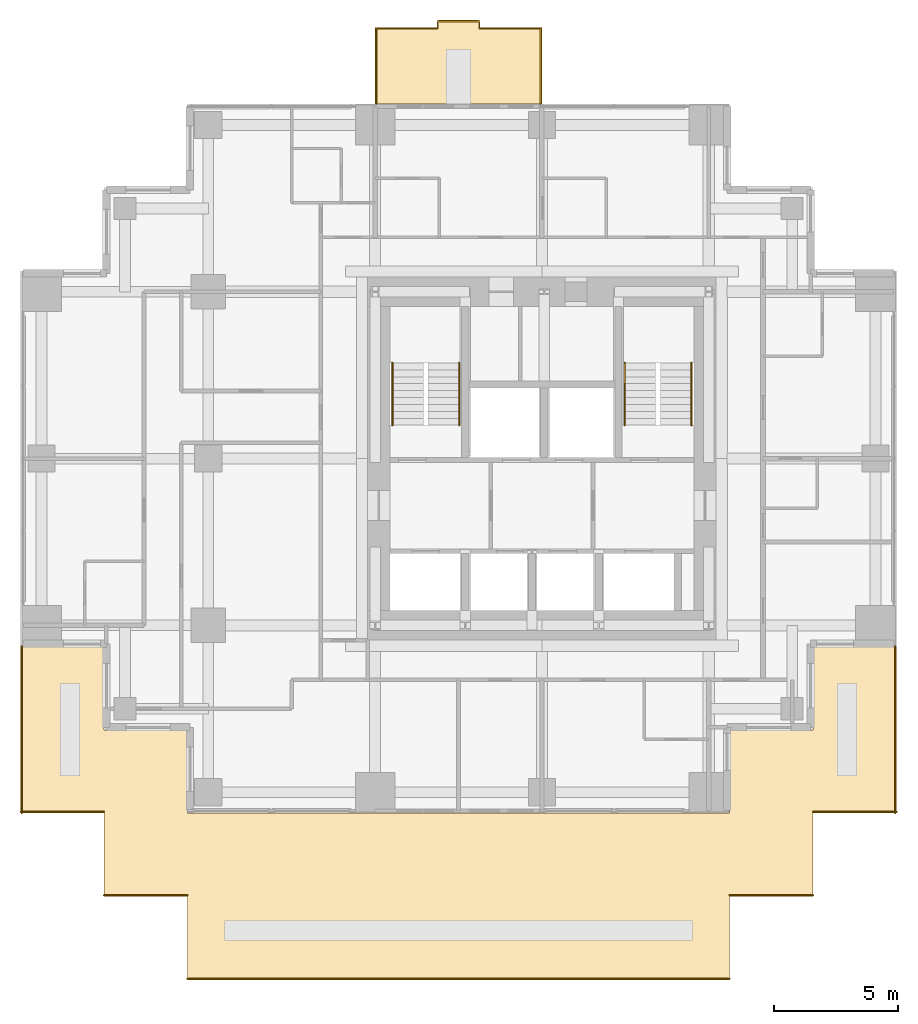
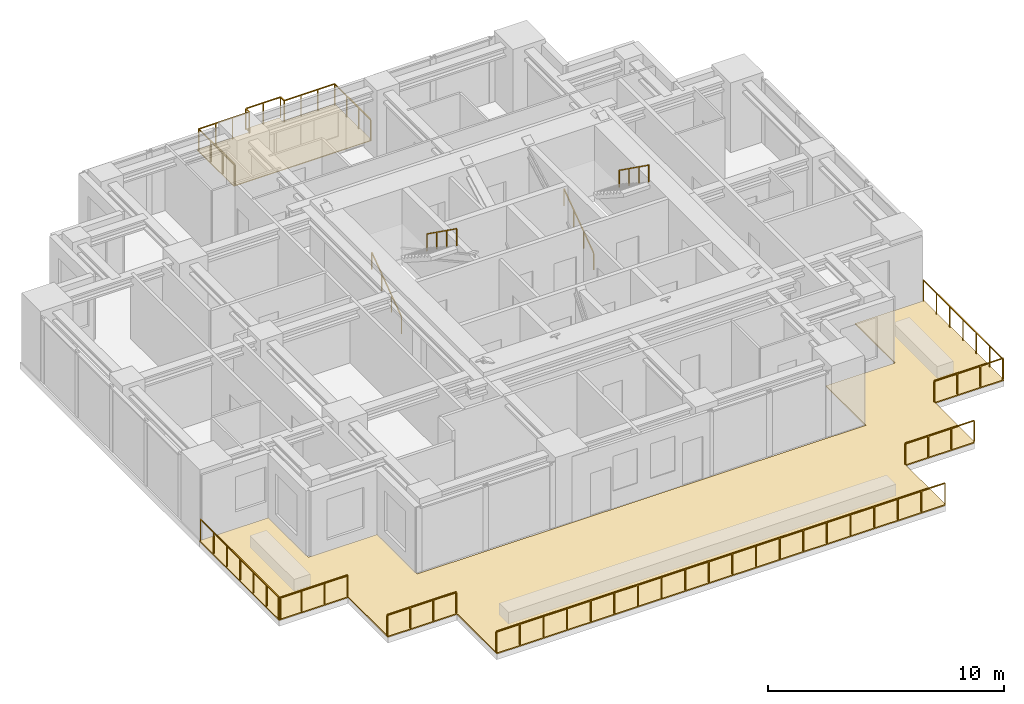
# One storey, part 7 of 7: 12 railings, 2 coverings.
"""IFC4 building model written with IfcOpenShell, lengths in metres."""

from ifc_helpers import new_model, si_unit, direction, frame, origin, origin_2d, place, context, subcontext, project, spatial, polyline, rectangle, outline, extrude, material, layer, layer_set, type_object, element, save


model = new_model("IFC4")

# Units and contexts
model_context = context("Model", 3, precision=1e-05, world=origin(), true_north=direction((0.0, 1.0)))
body_context = subcontext(model_context, "Body", "Model", "MODEL_VIEW")
ifc_project = project(units=[si_unit("LENGTHUNIT", "METRE"), si_unit("AREAUNIT", "SQUARE_METRE"), si_unit("VOLUMEUNIT", "CUBIC_METRE"), si_unit("PLANEANGLEUNIT", "RADIAN"), si_unit("MASSUNIT", "GRAM", prefix="KILO")], contexts=[model_context])

# Site, building, storey
site_placement = place(None, origin())
site = spatial("IfcSite", under=ifc_project, at=site_placement, CompositionType="ELEMENT")
building_placement = place(site_placement, origin())
building = spatial("IfcBuilding", under=site, at=building_placement, Name="Nyansa Garden Tower", CompositionType="ELEMENT")
storey_placement = place(building_placement, frame((0.0, 0.0, 204.300048828125)))
storey = spatial("IfcBuildingStorey", under=building, at=storey_placement, Name="L55", CompositionType="ELEMENT", Elevation=204.300048828125)

# Covering
ifc_material_1 = material(Name="Hardwood decking on pedestals", Category="wood")
ifc_layer_1 = layer(ifc_material_1, 0.0400390625)
ifc_layer_set_1 = layer_set([ifc_layer_1], Name="Balcony decking DK40")
covering_type_1 = type_object("IfcCoveringType", Name="Balcony decking DK40", PredefinedType="FLOORING", material=ifc_layer_set_1)
covering_1_placement = place(storey_placement, frame((0.0, 0.0, -0.0400390625)))
element("IfcCovering", 1, at=covering_1_placement, inside=storey, type_object=covering_type_1, Name="Balcony decking L55", PredefinedType="FLOORING", context=body_context, shape_type="SweptSolid", body=[
    extrude(outline(polyline([(13.5, 34.60009765625), (20.25, 34.60009765625), (20.25, 37.699951171875), (17.675048828125, 37.699951171875), (17.675048828125, 38.0), (16.074951171875, 38.0), (16.074951171875, 37.699951171875), (13.5, 37.699951171875), (13.5, 34.60009765625)])), origin(), (0.0, 0.0, 1.0), 0.0400390625),
])

# Railings
ifc_material_2 = material(Name="Black powder-coated steel balusters, laminated glass infill", Category="steel")
railing_type_1 = type_object("IfcRailingType", Name="Balcony guard G1", PredefinedType="GUARDRAIL", material=ifc_material_2)
railing_1_placement = place(storey_placement, frame((13.550048828125, 34.60009765625, 0.0)))
element("IfcRailing", 2, at=railing_1_placement, inside=storey, type_object=railing_type_1, Name="Balcony guard L55", PredefinedType="GUARDRAIL", context=body_context, shape_type="SweptSolid", body=[
    extrude(rectangle(XDim=0.048095703125, YDim=0.048095703125, at=origin_2d()), frame((0.0, 0.0, 1.076171875), z_axis=(0.0, 1.0, 0.0), x_axis=(-1.0, 0.0, 0.0)), (0.0, 0.0, 1.0), 3.0498046875),
    extrude(rectangle(XDim=0.048095703125, YDim=0.048095703125, at=origin_2d()), frame((0.0, 3.0498046875, 1.076171875), z_axis=(1.0, 0.0, 0.0), x_axis=(0.0, 1.0, 0.0)), (0.0, 0.0, 1.0), 2.474853515625),
    extrude(rectangle(XDim=0.048095703125, YDim=0.048095703125, at=origin_2d()), frame((2.474853515625, 3.0498046875, 1.076171875), z_axis=(0.0, 1.0, 0.0), x_axis=(-1.0, 0.0, 0.0)), (0.0, 0.0, 1.0), 0.300048828125),
    extrude(rectangle(XDim=0.048095703125, YDim=0.048095703125, at=origin_2d()), frame((2.474853515625, 3.349853515625, 1.076171875), z_axis=(1.0, 0.0, 0.0), x_axis=(0.0, 1.0, 0.0)), (0.0, 0.0, 1.0), 1.7001953125),
    extrude(rectangle(XDim=0.048095703125, YDim=0.048095703125, at=origin_2d()), frame((4.175048828125, 3.349853515625, 1.076171875), z_axis=(0.0, -1.0, 0.0), x_axis=(1.0, 0.0, 0.0)), (0.0, 0.0, 1.0), 0.300048828125),
    extrude(rectangle(XDim=0.048095703125, YDim=0.048095703125, at=origin_2d()), frame((4.175048828125, 3.0498046875, 1.076171875), z_axis=(1.0, 0.0, 0.0), x_axis=(0.0, 1.0, 0.0)), (0.0, 0.0, 1.0), 2.474853515625),
    extrude(rectangle(XDim=0.048095703125, YDim=0.048095703125, at=origin_2d()), frame((6.64990234375, 3.0498046875, 1.076171875), z_axis=(0.0, -1.0, 0.0), x_axis=(1.0, 0.0, 0.0)), (0.0, 0.0, 1.0), 3.0498046875),
    extrude(rectangle(XDim=0.0419921875, YDim=0.0419921875, at=origin_2d()), origin(), (0.0, 0.0, 1.0), 1.052001953125),
    extrude(rectangle(XDim=0.0419921875, YDim=0.0419921875, at=origin_2d()), frame((0.0, 1.0166015625, 0.0)), (0.0, 0.0, 1.0), 1.052001953125),
    extrude(rectangle(XDim=0.0419921875, YDim=0.0419921875, at=origin_2d()), frame((0.0, 2.033203125, 0.0)), (0.0, 0.0, 1.0), 1.052001953125),
    extrude(rectangle(XDim=0.0419921875, YDim=0.0419921875, at=origin_2d()), frame((0.0, 3.0498046875, 0.0)), (0.0, 0.0, 1.0), 1.052001953125),
    extrude(rectangle(XDim=0.0419921875, YDim=0.0419921875, at=origin_2d()), frame((0.824951171875, 3.0498046875, 0.0)), (0.0, 0.0, 1.0), 1.052001953125),
    extrude(rectangle(XDim=0.0419921875, YDim=0.0419921875, at=origin_2d()), frame((1.64990234375, 3.0498046875, 0.0)), (0.0, 0.0, 1.0), 1.052001953125),
    extrude(rectangle(XDim=0.0419921875, YDim=0.0419921875, at=origin_2d()), frame((2.474853515625, 3.0498046875, 0.0)), (0.0, 0.0, 1.0), 1.052001953125),
    extrude(rectangle(XDim=0.0419921875, YDim=0.0419921875, at=origin_2d()), frame((2.474853515625, 3.349853515625, 0.0)), (0.0, 0.0, 1.0), 1.052001953125),
    extrude(rectangle(XDim=0.0419921875, YDim=0.0419921875, at=origin_2d()), frame((3.324951171875, 3.349853515625, 0.0)), (0.0, 0.0, 1.0), 1.052001953125),
    extrude(rectangle(XDim=0.0419921875, YDim=0.0419921875, at=origin_2d()), frame((4.175048828125, 3.349853515625, 0.0)), (0.0, 0.0, 1.0), 1.052001953125),
    extrude(rectangle(XDim=0.0419921875, YDim=0.0419921875, at=origin_2d()), frame((4.175048828125, 3.0498046875, 0.0)), (0.0, 0.0, 1.0), 1.052001953125),
    extrude(rectangle(XDim=0.0419921875, YDim=0.0419921875, at=origin_2d()), frame((5.0, 3.0498046875, 0.0)), (0.0, 0.0, 1.0), 1.052001953125),
    extrude(rectangle(XDim=0.0419921875, YDim=0.0419921875, at=origin_2d()), frame((5.824951171875, 3.0498046875, 0.0)), (0.0, 0.0, 1.0), 1.052001953125),
    extrude(rectangle(XDim=0.0419921875, YDim=0.0419921875, at=origin_2d()), frame((6.64990234375, 3.0498046875, 0.0)), (0.0, 0.0, 1.0), 1.052001953125),
    extrude(rectangle(XDim=0.0419921875, YDim=0.0419921875, at=origin_2d()), frame((6.64990234375, 2.033203125, 0.0)), (0.0, 0.0, 1.0), 1.052001953125),
    extrude(rectangle(XDim=0.0419921875, YDim=0.0419921875, at=origin_2d()), frame((6.64990234375, 1.0166015625, 0.0)), (0.0, 0.0, 1.0), 1.052001953125),
    extrude(rectangle(XDim=0.0419921875, YDim=0.0419921875, at=origin_2d()), frame((6.64990234375, 0.0, 0.0)), (0.0, 0.0, 1.0), 1.052001953125),
])
ifc_material_3 = material(Name="Black powder-coated steel tube 48 mm", Category="steel")
railing_type_2 = type_object("IfcRailingType", Name="Stair handrail HR1", PredefinedType="HANDRAIL", material=ifc_material_3)
railing_2_placement = place(storey_placement, frame((14.199951171875, 21.60009765625, 0.0)))
element("IfcRailing", 3, at=railing_2_placement, inside=storey, type_object=railing_type_2, Name="Stair S1 handrail L55", PredefinedType="HANDRAIL", context=body_context, shape_type="SweptSolid", body=[
    extrude(rectangle(XDim=0.048095703125, YDim=0.048095703125, at=origin_2d()), frame((0.0, 0.0, 0.8759765625), z_axis=(0.0, 0.813728144527, 0.581245650998), x_axis=(-1.0, 0.0, 0.0)), (0.0, 0.0, 1.0), 3.096923828125),
    extrude(rectangle(XDim=0.0419921875, YDim=0.0419921875, at=origin_2d()), origin(), (0.0, 0.0, 1.0), 0.851806640625),
    extrude(rectangle(XDim=0.0419921875, YDim=0.0419921875, at=origin_2d()), frame((0.0, 0.840087890625, 0.60009765625)), (0.0, 0.0, 1.0), 0.851806640625),
    extrude(rectangle(XDim=0.0419921875, YDim=0.0419921875, at=origin_2d()), frame((0.0, 1.679931640625, 1.199951171875)), (0.0, 0.0, 1.0), 0.851806640625),
    extrude(rectangle(XDim=0.0419921875, YDim=0.0419921875, at=origin_2d()), frame((0.0, 2.52001953125, 1.800048828125)), (0.0, 0.0, 1.0), 0.851806640625),
])
railing_3_placement = place(storey_placement, frame((16.89990234375, 24.1201171875, 1.800048828125)))
element("IfcRailing", 4, at=railing_3_placement, inside=storey, type_object=railing_type_2, Name="Stair S1 handrail L55", PredefinedType="HANDRAIL", context=body_context, shape_type="SweptSolid", body=[
    extrude(rectangle(XDim=0.048095703125, YDim=0.048095703125, at=origin_2d()), frame((0.0, 0.0, 0.8759765625), z_axis=(0.0, -0.813765431312, 0.581193446971), x_axis=(1.0, 0.0, 0.0)), (0.0, 0.0, 1.0), 3.0966796875),
    extrude(rectangle(XDim=0.0419921875, YDim=0.0419921875, at=origin_2d()), origin(), (0.0, 0.0, 1.0), 0.851806640625),
    extrude(rectangle(XDim=0.0419921875, YDim=0.0419921875, at=origin_2d()), frame((0.0, -0.840087890625, 0.599853515625)), (0.0, 0.0, 1.0), 0.851806640625),
    extrude(rectangle(XDim=0.0419921875, YDim=0.0419921875, at=origin_2d()), frame((0.0, -1.679931640625, 1.199951171875)), (0.0, 0.0, 1.0), 0.851806640625),
    extrude(rectangle(XDim=0.0419921875, YDim=0.0419921875, at=origin_2d()), frame((0.0, -2.52001953125, 1.7998046875)), (0.0, 0.0, 1.0), 0.851806640625),
])
railing_4_placement = place(storey_placement, frame((23.60009765625, 21.60009765625, 0.0)))
element("IfcRailing", 5, at=railing_4_placement, inside=storey, type_object=railing_type_2, Name="Stair S2 handrail L55", PredefinedType="HANDRAIL", context=body_context, shape_type="SweptSolid", body=[
    extrude(rectangle(XDim=0.048095703125, YDim=0.048095703125, at=origin_2d()), frame((0.0, 0.0, 0.8759765625), z_axis=(0.0, 0.813728144527, 0.581245650998), x_axis=(-1.0, 0.0, 0.0)), (0.0, 0.0, 1.0), 3.096923828125),
    extrude(rectangle(XDim=0.0419921875, YDim=0.0419921875, at=origin_2d()), origin(), (0.0, 0.0, 1.0), 0.851806640625),
    extrude(rectangle(XDim=0.0419921875, YDim=0.0419921875, at=origin_2d()), frame((0.0, 0.840087890625, 0.60009765625)), (0.0, 0.0, 1.0), 0.851806640625),
    extrude(rectangle(XDim=0.0419921875, YDim=0.0419921875, at=origin_2d()), frame((0.0, 1.679931640625, 1.199951171875)), (0.0, 0.0, 1.0), 0.851806640625),
    extrude(rectangle(XDim=0.0419921875, YDim=0.0419921875, at=origin_2d()), frame((0.0, 2.52001953125, 1.800048828125)), (0.0, 0.0, 1.0), 0.851806640625),
])
railing_5_placement = place(storey_placement, frame((26.300048828125, 24.1201171875, 1.800048828125)))
element("IfcRailing", 6, at=railing_5_placement, inside=storey, type_object=railing_type_2, Name="Stair S2 handrail L55", PredefinedType="HANDRAIL", context=body_context, shape_type="SweptSolid", body=[
    extrude(rectangle(XDim=0.048095703125, YDim=0.048095703125, at=origin_2d()), frame((0.0, 0.0, 0.8759765625), z_axis=(0.0, -0.813765431312, 0.581193446971), x_axis=(1.0, 0.0, 0.0)), (0.0, 0.0, 1.0), 3.0966796875),
    extrude(rectangle(XDim=0.0419921875, YDim=0.0419921875, at=origin_2d()), origin(), (0.0, 0.0, 1.0), 0.851806640625),
    extrude(rectangle(XDim=0.0419921875, YDim=0.0419921875, at=origin_2d()), frame((0.0, -0.840087890625, 0.599853515625)), (0.0, 0.0, 1.0), 0.851806640625),
    extrude(rectangle(XDim=0.0419921875, YDim=0.0419921875, at=origin_2d()), frame((0.0, -1.679931640625, 1.199951171875)), (0.0, 0.0, 1.0), 0.851806640625),
    extrude(rectangle(XDim=0.0419921875, YDim=0.0419921875, at=origin_2d()), frame((0.0, -2.52001953125, 1.7998046875)), (0.0, 0.0, 1.0), 0.851806640625),
])
ifc_material_4 = material(Name="Black powder-coated steel, laminated glass infill", Category="steel")
railing_type_3 = type_object("IfcRailingType", Name="Terrace guard G2", PredefinedType="GUARDRAIL", material=ifc_material_4)
railing_6_placement = place(storey_placement, frame((27.85009765625, -0.800048828125, 0.0)))
element("IfcRailing", 7, at=railing_6_placement, inside=storey, type_object=railing_type_3, Name="Setback roof guard L55", PredefinedType="GUARDRAIL", context=body_context, shape_type="SweptSolid", body=[
    extrude(rectangle(XDim=0.048095703125, YDim=0.048095703125, at=origin_2d()), frame((0.0, 0.0, 1.076171875), z_axis=(-1.0, 0.0, 0.0), x_axis=(0.0, -1.0, 0.0)), (0.0, 0.0, 1.0), 21.9501953125),
    extrude(rectangle(XDim=0.0419921875, YDim=0.0419921875, at=origin_2d()), origin(), (0.0, 0.0, 1.0), 1.052001953125),
    extrude(rectangle(XDim=0.0419921875, YDim=0.0419921875, at=origin_2d()), frame((-1.1552734375, 0.0, 0.0)), (0.0, 0.0, 1.0), 1.052001953125),
    extrude(rectangle(XDim=0.0419921875, YDim=0.0419921875, at=origin_2d()), frame((-2.310546875, 0.0, 0.0)), (0.0, 0.0, 1.0), 1.052001953125),
    extrude(rectangle(XDim=0.0419921875, YDim=0.0419921875, at=origin_2d()), frame((-3.4658203125, 0.0, 0.0)), (0.0, 0.0, 1.0), 1.052001953125),
    extrude(rectangle(XDim=0.0419921875, YDim=0.0419921875, at=origin_2d()), frame((-4.62109375, 0.0, 0.0)), (0.0, 0.0, 1.0), 1.052001953125),
    extrude(rectangle(XDim=0.0419921875, YDim=0.0419921875, at=origin_2d()), frame((-5.7763671875, 0.0, 0.0)), (0.0, 0.0, 1.0), 1.052001953125),
    extrude(rectangle(XDim=0.0419921875, YDim=0.0419921875, at=origin_2d()), frame((-6.931640625, 0.0, 0.0)), (0.0, 0.0, 1.0), 1.052001953125),
    extrude(rectangle(XDim=0.0419921875, YDim=0.0419921875, at=origin_2d()), frame((-8.0869140625, 0.0, 0.0)), (0.0, 0.0, 1.0), 1.052001953125),
    extrude(rectangle(XDim=0.0419921875, YDim=0.0419921875, at=origin_2d()), frame((-9.2421875, 0.0, 0.0)), (0.0, 0.0, 1.0), 1.052001953125),
    extrude(rectangle(XDim=0.0419921875, YDim=0.0419921875, at=origin_2d()), frame((-10.3974609375, 0.0, 0.0)), (0.0, 0.0, 1.0), 1.052001953125),
    extrude(rectangle(XDim=0.0419921875, YDim=0.0419921875, at=origin_2d()), frame((-11.552734375, 0.0, 0.0)), (0.0, 0.0, 1.0), 1.052001953125),
    extrude(rectangle(XDim=0.0419921875, YDim=0.0419921875, at=origin_2d()), frame((-12.7080078125, 0.0, 0.0)), (0.0, 0.0, 1.0), 1.052001953125),
    extrude(rectangle(XDim=0.0419921875, YDim=0.0419921875, at=origin_2d()), frame((-13.86328125, 0.0, 0.0)), (0.0, 0.0, 1.0), 1.052001953125),
    extrude(rectangle(XDim=0.0419921875, YDim=0.0419921875, at=origin_2d()), frame((-15.0185546875, 0.0, 0.0)), (0.0, 0.0, 1.0), 1.052001953125),
    extrude(rectangle(XDim=0.0419921875, YDim=0.0419921875, at=origin_2d()), frame((-16.173828125, 0.0, 0.0)), (0.0, 0.0, 1.0), 1.052001953125),
    extrude(rectangle(XDim=0.0419921875, YDim=0.0419921875, at=origin_2d()), frame((-17.3291015625, 0.0, 0.0)), (0.0, 0.0, 1.0), 1.052001953125),
    extrude(rectangle(XDim=0.0419921875, YDim=0.0419921875, at=origin_2d()), frame((-18.484375, 0.0, 0.0)), (0.0, 0.0, 1.0), 1.052001953125),
    extrude(rectangle(XDim=0.0419921875, YDim=0.0419921875, at=origin_2d()), frame((-19.6396484375, 0.0, 0.0)), (0.0, 0.0, 1.0), 1.052001953125),
    extrude(rectangle(XDim=0.0419921875, YDim=0.0419921875, at=origin_2d()), frame((-20.794921875, 0.0, 0.0)), (0.0, 0.0, 1.0), 1.052001953125),
    extrude(rectangle(XDim=0.0419921875, YDim=0.0419921875, at=origin_2d()), frame((-21.9501953125, 0.0, 0.0)), (0.0, 0.0, 1.0), 1.052001953125),
])
for number, where, name in (
    (8, (5.89990234375, 2.574951171875, 0.0), "Setback roof guard L55"),
    (9, (31.22509765625, 2.574951171875, 0.0), "Setback roof guard L55"),
):
    element("IfcRailing", number, at=place(storey_placement, frame(where)), inside=storey, type_object=railing_type_3, Name=name, PredefinedType="GUARDRAIL", context=body_context, shape_type="SweptSolid", body=[
        extrude(rectangle(XDim=0.048095703125, YDim=0.048095703125, at=origin_2d()), frame((0.0, 0.0, 1.076171875), z_axis=(-1.0, 0.0, 0.0), x_axis=(0.0, -1.0, 0.0)), (0.0, 0.0, 1.0), 3.375),
        extrude(rectangle(XDim=0.0419921875, YDim=0.0419921875, at=origin_2d()), origin(), (0.0, 0.0, 1.0), 1.052001953125),
        extrude(rectangle(XDim=0.0419921875, YDim=0.0419921875, at=origin_2d()), frame((-1.125, 0.0, 0.0)), (0.0, 0.0, 1.0), 1.052001953125),
        extrude(rectangle(XDim=0.0419921875, YDim=0.0419921875, at=origin_2d()), frame((-2.25, 0.0, 0.0)), (0.0, 0.0, 1.0), 1.052001953125),
        extrude(rectangle(XDim=0.0419921875, YDim=0.0419921875, at=origin_2d()), frame((-3.375, 0.0, 0.0)), (0.0, 0.0, 1.0), 1.052001953125),
    ])
railing_7_placement = place(storey_placement, frame((-0.800048828125, 5.89990234375, 0.0)))
element("IfcRailing", 10, at=railing_7_placement, inside=storey, type_object=railing_type_3, Name="Setback roof guard L55", PredefinedType="GUARDRAIL", context=body_context, shape_type="SweptSolid", body=[
    extrude(rectangle(XDim=0.048095703125, YDim=0.048095703125, at=origin_2d()), frame((0.0, 0.0, 1.076171875), z_axis=(0.0, 1.0, 0.0), x_axis=(-1.0, 0.0, 0.0)), (0.0, 0.0, 1.0), 6.75),
    extrude(rectangle(XDim=0.0419921875, YDim=0.0419921875, at=origin_2d()), origin(), (0.0, 0.0, 1.0), 1.052001953125),
    extrude(rectangle(XDim=0.0419921875, YDim=0.0419921875, at=origin_2d()), frame((0.0, 1.125, 0.0)), (0.0, 0.0, 1.0), 1.052001953125),
    extrude(rectangle(XDim=0.0419921875, YDim=0.0419921875, at=origin_2d()), frame((0.0, 2.25, 0.0)), (0.0, 0.0, 1.0), 1.052001953125),
    extrude(rectangle(XDim=0.0419921875, YDim=0.0419921875, at=origin_2d()), frame((0.0, 3.375, 0.0)), (0.0, 0.0, 1.0), 1.052001953125),
    extrude(rectangle(XDim=0.0419921875, YDim=0.0419921875, at=origin_2d()), frame((0.0, 4.5, 0.0)), (0.0, 0.0, 1.0), 1.052001953125),
    extrude(rectangle(XDim=0.0419921875, YDim=0.0419921875, at=origin_2d()), frame((0.0, 5.625, 0.0)), (0.0, 0.0, 1.0), 1.052001953125),
    extrude(rectangle(XDim=0.0419921875, YDim=0.0419921875, at=origin_2d()), frame((0.0, 6.75, 0.0)), (0.0, 0.0, 1.0), 1.052001953125),
])
railing_8_placement = place(storey_placement, frame((2.52490234375, 5.949951171875, 0.0)))
element("IfcRailing", 11, at=railing_8_placement, inside=storey, type_object=railing_type_3, Name="Setback roof guard L55", PredefinedType="GUARDRAIL", context=body_context, shape_type="SweptSolid", body=[
    extrude(rectangle(XDim=0.048095703125, YDim=0.048095703125, at=origin_2d()), frame((0.0, 0.0, 1.076171875), z_axis=(-1.0, 0.0, 0.0), x_axis=(0.0, -1.0, 0.0)), (0.0, 0.0, 1.0), 3.375),
    extrude(rectangle(XDim=0.0419921875, YDim=0.0419921875, at=origin_2d()), origin(), (0.0, 0.0, 1.0), 1.052001953125),
    extrude(rectangle(XDim=0.0419921875, YDim=0.0419921875, at=origin_2d()), frame((-1.125, 0.0, 0.0)), (0.0, 0.0, 1.0), 1.052001953125),
    extrude(rectangle(XDim=0.0419921875, YDim=0.0419921875, at=origin_2d()), frame((-2.25, 0.0, 0.0)), (0.0, 0.0, 1.0), 1.052001953125),
    extrude(rectangle(XDim=0.0419921875, YDim=0.0419921875, at=origin_2d()), frame((-3.375, 0.0, 0.0)), (0.0, 0.0, 1.0), 1.052001953125),
])
railing_9_placement = place(storey_placement, frame((34.550048828125, 12.64990234375, 0.0)))
element("IfcRailing", 12, at=railing_9_placement, inside=storey, type_object=railing_type_3, Name="Setback roof guard L55", PredefinedType="GUARDRAIL", context=body_context, shape_type="SweptSolid", body=[
    extrude(rectangle(XDim=0.048095703125, YDim=0.048095703125, at=origin_2d()), frame((0.0, 0.0, 1.076171875), z_axis=(0.0, -1.0, 0.0), x_axis=(1.0, 0.0, 0.0)), (0.0, 0.0, 1.0), 6.75),
    extrude(rectangle(XDim=0.0419921875, YDim=0.0419921875, at=origin_2d()), origin(), (0.0, 0.0, 1.0), 1.052001953125),
    extrude(rectangle(XDim=0.0419921875, YDim=0.0419921875, at=origin_2d()), frame((0.0, -1.125, 0.0)), (0.0, 0.0, 1.0), 1.052001953125),
    extrude(rectangle(XDim=0.0419921875, YDim=0.0419921875, at=origin_2d()), frame((0.0, -2.25, 0.0)), (0.0, 0.0, 1.0), 1.052001953125),
    extrude(rectangle(XDim=0.0419921875, YDim=0.0419921875, at=origin_2d()), frame((0.0, -3.375, 0.0)), (0.0, 0.0, 1.0), 1.052001953125),
    extrude(rectangle(XDim=0.0419921875, YDim=0.0419921875, at=origin_2d()), frame((0.0, -4.5, 0.0)), (0.0, 0.0, 1.0), 1.052001953125),
    extrude(rectangle(XDim=0.0419921875, YDim=0.0419921875, at=origin_2d()), frame((0.0, -5.625, 0.0)), (0.0, 0.0, 1.0), 1.052001953125),
    extrude(rectangle(XDim=0.0419921875, YDim=0.0419921875, at=origin_2d()), frame((0.0, -6.75, 0.0)), (0.0, 0.0, 1.0), 1.052001953125),
])
railing_10_placement = place(storey_placement, frame((34.60009765625, 5.949951171875, 0.0)))
element("IfcRailing", 13, at=railing_10_placement, inside=storey, type_object=railing_type_3, Name="Setback roof guard L55", PredefinedType="GUARDRAIL", context=body_context, shape_type="SweptSolid", body=[
    extrude(rectangle(XDim=0.048095703125, YDim=0.048095703125, at=origin_2d()), frame((0.0, 0.0, 1.076171875), z_axis=(-1.0, 0.0, 0.0), x_axis=(0.0, -1.0, 0.0)), (0.0, 0.0, 1.0), 3.375),
    extrude(rectangle(XDim=0.0419921875, YDim=0.0419921875, at=origin_2d()), origin(), (0.0, 0.0, 1.0), 1.052001953125),
    extrude(rectangle(XDim=0.0419921875, YDim=0.0419921875, at=origin_2d()), frame((-1.125, 0.0, 0.0)), (0.0, 0.0, 1.0), 1.052001953125),
    extrude(rectangle(XDim=0.0419921875, YDim=0.0419921875, at=origin_2d()), frame((-2.25, 0.0, 0.0)), (0.0, 0.0, 1.0), 1.052001953125),
    extrude(rectangle(XDim=0.0419921875, YDim=0.0419921875, at=origin_2d()), frame((-3.375, 0.0, 0.0)), (0.0, 0.0, 1.0), 1.052001953125),
])

# Covering
ifc_material_5 = material(Name="Terracotta and turquoise glazed tile paving on pedestals", Category="masonry")
ifc_layer_2 = layer(ifc_material_5, 0.06005859375)
ifc_layer_set_2 = layer_set([ifc_layer_2], Name="Terrace paving PV60")
covering_type_2 = type_object("IfcCoveringType", Name="Terrace paving PV60", PredefinedType="USERDEFINED", material=ifc_layer_set_2)
covering_2_placement = place(storey_placement, frame((0.0, 0.0, -0.06005859375)))
element("IfcCovering", 14, at=covering_2_placement, inside=storey, type_object=covering_type_2, Name="Terrace paving L55", ObjectType="PAVING", PredefinedType="USERDEFINED", context=body_context, shape_type="SweptSolid", body=[
    extrude(outline(polyline([(31.22509765625, 5.89990234375), (31.22509765625, 2.52490234375), (27.85009765625, 2.52490234375), (27.85009765625, -0.85009765625), (5.89990234375, -0.85009765625), (5.89990234375, 2.52490234375), (2.52490234375, 2.52490234375), (2.52490234375, 5.89990234375), (-0.85009765625, 5.89990234375), (-0.85009765625, 12.64990234375), (2.52490234375, 12.64990234375), (2.52490234375, 9.27490234375), (5.89990234375, 9.27490234375), (5.89990234375, 5.89990234375), (27.85009765625, 5.89990234375), (27.85009765625, 9.27490234375), (31.22509765625, 9.27490234375), (31.22509765625, 12.64990234375), (34.60009765625, 12.64990234375), (34.60009765625, 5.89990234375), (31.22509765625, 5.89990234375)])), origin(), (0.0, 0.0, 1.0), 0.06005859375),
])

save(model, "model.ifc")
